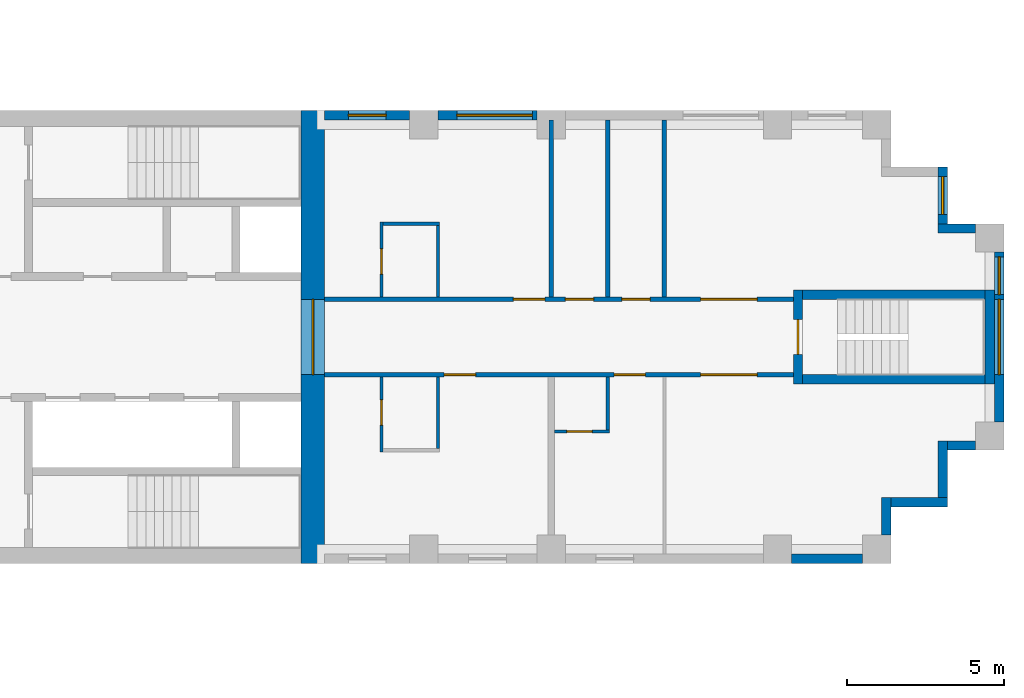
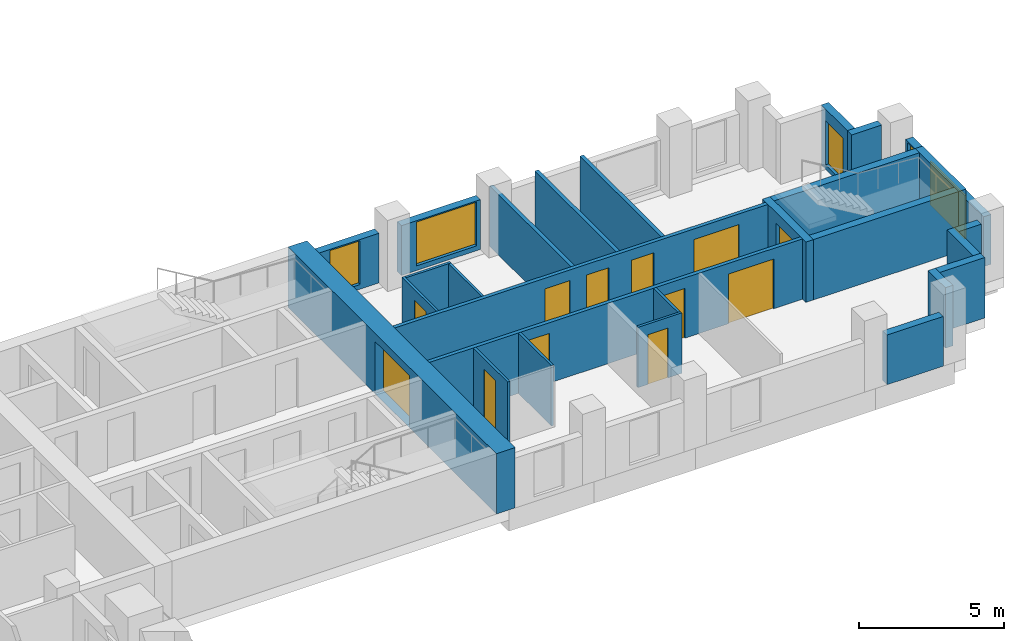
# One storey, part 10 of 15: 27 walls, 12 doors, 5 windows, 17 openings.
"""IFC4 building model written with IfcOpenShell, lengths in metres."""

from ifc_helpers import new_model, si_unit, direction, frame, frame_2d, origin, place, context, subcontext, project, spatial, rectangle, extrude, material, layer, layer_set, type_object, element, fill, save


model = new_model("IFC4")

# Units and contexts
model_context = context("Model", 3, precision=1e-05, world=origin(), true_north=direction((0.0, 1.0)))
body_context = subcontext(model_context, "Body", "Model", "MODEL_VIEW")
ifc_project = project(units=[si_unit("LENGTHUNIT", "METRE"), si_unit("AREAUNIT", "SQUARE_METRE"), si_unit("VOLUMEUNIT", "CUBIC_METRE"), si_unit("PLANEANGLEUNIT", "RADIAN"), si_unit("MASSUNIT", "GRAM", prefix="KILO")], contexts=[model_context])

# Site, building, storey
site_placement = place(None, origin())
site = spatial("IfcSite", under=ifc_project, at=site_placement, CompositionType="ELEMENT")
building_placement = place(site_placement, origin())
building = spatial("IfcBuilding", under=site, at=building_placement, Name="Fustian Cross Tower", CompositionType="ELEMENT")
storey_placement = place(building_placement, frame((0.0, 0.0, 59.699951171875)))
storey = spatial("IfcBuildingStorey", under=building, at=storey_placement, Name="L18", CompositionType="ELEMENT", Elevation=59.699951171875)

# Wall, openings, doors
ifc_material_1 = material(Name="Plasterboard on steel stud", Category="steel")
ifc_layer_1 = layer(ifc_material_1, 0.14990234375)
ifc_layer_set_1 = layer_set([ifc_layer_1], Name="Plasterboard on steel stud")
wall_type_1 = type_object("IfcWallType", Name="COMPARTMENT WALL 150 EI 60", PredefinedType="PARTITIONING", material=ifc_layer_set_1)
wall_1_placement = place(storey_placement, frame((21.60009765625, -1.199951171875, 0.0), z_axis=(0.0, 0.0, 1.0), x_axis=(1.0, 0.0, 0.0)))
wall_1 = element("IfcWall", 1, at=wall_1_placement, inside=storey, type_object=wall_type_1, Name="Partition 88", PredefinedType="PARTITIONING", context=body_context, shape_type="SweptSolid", body=[
    extrude(rectangle(XDim=14.89990234375, YDim=0.14990234375, at=frame_2d((7.449951171875, 0.0))), origin(), (0.0, 0.0, 1.0), 2.550048828125),
])
opening_1_placement = place(wall_1_placement, frame((3.800048828125, 0.0, 0.0)))
opening_1 = element("IfcOpeningElement", 2, at=opening_1_placement, cuts=wall_1, Name="Opening D09018", PredefinedType="OPENING", context=body_context, shape_type="SweptSolid", body=[
    extrude(rectangle(XDim=1.0, YDim=2.10009765625, at=frame_2d((0.5, 1.050048828125))), frame((0.0, 0.0849609375, 0.0), z_axis=(0.0, -1.0, 0.0), x_axis=(1.0, 0.0, 0.0)), (0.0, 0.0, 1.0), 0.169921875),
])
opening_2_placement = place(wall_1_placement, frame((9.199951171875, 0.0, 0.0)))
opening_2 = element("IfcOpeningElement", 3, at=opening_2_placement, cuts=wall_1, Name="Opening D09020", PredefinedType="OPENING", context=body_context, shape_type="SweptSolid", body=[
    extrude(rectangle(XDim=1.0, YDim=2.10009765625, at=frame_2d((0.5, 1.050048828125))), frame((0.0, 0.0849609375, 0.0), z_axis=(0.0, -1.0, 0.0), x_axis=(1.0, 0.0, 0.0)), (0.0, 0.0, 1.0), 0.169921875),
])
opening_3_placement = place(wall_1_placement, frame((11.949951171875, 0.0, 0.0)))
opening_3 = element("IfcOpeningElement", 4, at=opening_3_placement, cuts=wall_1, Name="Opening D09021", PredefinedType="OPENING", context=body_context, shape_type="SweptSolid", body=[
    extrude(rectangle(XDim=1.800048828125, YDim=2.10009765625, at=frame_2d((0.89990234375, 1.050048828125))), frame((0.0, 0.0849609375, 0.0), z_axis=(0.0, -1.0, 0.0), x_axis=(1.0, 0.0, 0.0)), (0.0, 0.0, 1.0), 0.169921875),
])
ifc_material_2 = material(Name="Timber fire door set", Category="wood")
door_type_1 = type_object("IfcDoorType", Name="FIRE DOUBLE DOOR 1800 FD30S", OperationType="DOUBLE_DOOR_DOUBLE_SWING", PredefinedType="DOOR", material=ifc_material_2)
door_1_placement = place(opening_3_placement, origin())
door_1 = element("IfcDoor", 5, at=door_1_placement, inside=storey, type_object=door_type_1, Name="Door D09021", OperationType="DOUBLE_DOOR_DOUBLE_SWING", OverallHeight=2.10009765625, OverallWidth=1.800048828125, PredefinedType="DOOR", context=body_context, shape_type="SweptSolid", body=[
    extrude(rectangle(XDim=1.800048828125, YDim=2.10009765625, at=frame_2d((0.89990234375, 1.050048828125))), frame((0.0, 0.02490234375, 0.0), z_axis=(0.0, -1.0, 0.0), x_axis=(1.0, 0.0, 0.0)), (0.0, 0.0, 1.0), 0.050048828125),
])
fill(opening_3, door_1)
ifc_material_3 = material(Name="Timber fire door set", Category="wood")
door_type_2 = type_object("IfcDoorType", Name="FIRE SWING DOOR 1000 FD30S", OperationType="SINGLE_SWING_LEFT", PredefinedType="DOOR", material=ifc_material_3)
door_2_placement = place(opening_1_placement, frame((1.0, 0.0, 0.0), z_axis=(0.0, 0.0, 1.0), x_axis=(-1.0, 0.0, 0.0)))
door_2 = element("IfcDoor", 6, at=door_2_placement, inside=storey, type_object=door_type_2, Name="Door D09018", OperationType="SINGLE_SWING_RIGHT", OverallHeight=2.10009765625, OverallWidth=1.0, PredefinedType="DOOR", context=body_context, shape_type="SweptSolid", body=[
    extrude(rectangle(XDim=1.0, YDim=2.10009765625, at=frame_2d((0.5, 1.050048828125))), frame((0.0, 0.02490234375, 0.0), z_axis=(0.0, -1.0, 0.0), x_axis=(1.0, 0.0, 0.0)), (0.0, 0.0, 1.0), 0.050048828125),
])
fill(opening_1, door_2)
door_3_placement = place(opening_2_placement, frame((1.0, 0.0, 0.0), z_axis=(0.0, 0.0, 1.0), x_axis=(-1.0, 0.0, 0.0)))
door_3 = element("IfcDoor", 7, at=door_3_placement, inside=storey, type_object=door_type_2, Name="Door D09020", OperationType="SINGLE_SWING_RIGHT", OverallHeight=2.10009765625, OverallWidth=1.0, PredefinedType="DOOR", context=body_context, shape_type="SweptSolid", body=[
    extrude(rectangle(XDim=1.0, YDim=2.10009765625, at=frame_2d((0.5, 1.050048828125))), frame((0.0, 0.02490234375, 0.0), z_axis=(0.0, -1.0, 0.0), x_axis=(1.0, 0.0, 0.0)), (0.0, 0.0, 1.0), 0.050048828125),
])
fill(opening_2, door_3)

wall_2_placement = place(storey_placement, frame((21.60009765625, 1.199951171875, 0.0), z_axis=(0.0, 0.0, 1.0), x_axis=(1.0, 0.0, 0.0)))
wall_2 = element("IfcWall", 8, at=wall_2_placement, inside=storey, type_object=wall_type_1, Name="Partition 89", PredefinedType="PARTITIONING", context=body_context, shape_type="SweptSolid", body=[
    extrude(rectangle(XDim=14.89990234375, YDim=0.14990234375, at=frame_2d((7.449951171875, 0.0))), origin(), (0.0, 0.0, 1.0), 2.550048828125),
])
opening_4_placement = place(wall_2_placement, frame((6.0, 0.0, 0.0)))
opening_4 = element("IfcOpeningElement", 9, at=opening_4_placement, cuts=wall_2, Name="Opening D09013", PredefinedType="OPENING", context=body_context, shape_type="SweptSolid", body=[
    extrude(rectangle(XDim=1.0, YDim=2.10009765625, at=frame_2d((0.5, 1.050048828125))), frame((0.0, 0.0849609375, 0.0), z_axis=(0.0, -1.0, 0.0), x_axis=(1.0, 0.0, 0.0)), (0.0, 0.0, 1.0), 0.169921875),
])
opening_5_placement = place(wall_2_placement, frame((7.64990234375, 0.0, 0.0)))
opening_5 = element("IfcOpeningElement", 10, at=opening_5_placement, cuts=wall_2, Name="Opening D09014", PredefinedType="OPENING", context=body_context, shape_type="SweptSolid", body=[
    extrude(rectangle(XDim=0.89990234375, YDim=2.10009765625, at=frame_2d((0.449951171875, 1.050048828125))), frame((0.0, 0.0849609375, 0.0), z_axis=(0.0, -1.0, 0.0), x_axis=(1.0, 0.0, 0.0)), (0.0, 0.0, 1.0), 0.169921875),
])
opening_6_placement = place(wall_2_placement, frame((9.449951171875, 0.0, 0.0)))
opening_6 = element("IfcOpeningElement", 11, at=opening_6_placement, cuts=wall_2, Name="Opening D09015", PredefinedType="OPENING", context=body_context, shape_type="SweptSolid", body=[
    extrude(rectangle(XDim=0.89990234375, YDim=2.10009765625, at=frame_2d((0.449951171875, 1.050048828125))), frame((0.0, 0.0849609375, 0.0), z_axis=(0.0, -1.0, 0.0), x_axis=(1.0, 0.0, 0.0)), (0.0, 0.0, 1.0), 0.169921875),
])
opening_7_placement = place(wall_2_placement, frame((11.949951171875, 0.0, 0.0)))
opening_7 = element("IfcOpeningElement", 12, at=opening_7_placement, cuts=wall_2, Name="Opening D09016", PredefinedType="OPENING", context=body_context, shape_type="SweptSolid", body=[
    extrude(rectangle(XDim=1.800048828125, YDim=2.10009765625, at=frame_2d((0.89990234375, 1.050048828125))), frame((0.0, 0.0849609375, 0.0), z_axis=(0.0, -1.0, 0.0), x_axis=(1.0, 0.0, 0.0)), (0.0, 0.0, 1.0), 0.169921875),
])
door_4_placement = place(opening_7_placement, frame((1.800048828125, 0.0, 0.0), z_axis=(0.0, 0.0, 1.0), x_axis=(-1.0, 0.0, 0.0)))
door_4 = element("IfcDoor", 13, at=door_4_placement, inside=storey, type_object=door_type_1, Name="Door D09016", OperationType="DOUBLE_DOOR_DOUBLE_SWING", OverallHeight=2.10009765625, OverallWidth=1.800048828125, PredefinedType="DOOR", context=body_context, shape_type="SweptSolid", body=[
    extrude(rectangle(XDim=1.800048828125, YDim=2.10009765625, at=frame_2d((0.89990234375, 1.050048828125))), frame((0.0, 0.02490234375, 0.0), z_axis=(0.0, -1.0, 0.0), x_axis=(1.0, 0.0, 0.0)), (0.0, 0.0, 1.0), 0.050048828125),
])
fill(opening_7, door_4)
door_5_placement = place(opening_4_placement, origin())
door_5 = element("IfcDoor", 14, at=door_5_placement, inside=storey, type_object=door_type_2, Name="Door D09013", OperationType="SINGLE_SWING_RIGHT", OverallHeight=2.10009765625, OverallWidth=1.0, PredefinedType="DOOR", context=body_context, shape_type="SweptSolid", body=[
    extrude(rectangle(XDim=1.0, YDim=2.10009765625, at=frame_2d((0.5, 1.050048828125))), frame((0.0, 0.02490234375, 0.0), z_axis=(0.0, -1.0, 0.0), x_axis=(1.0, 0.0, 0.0)), (0.0, 0.0, 1.0), 0.050048828125),
])
fill(opening_4, door_5)
ifc_material_4 = material(Name="Timber fire door set", Category="wood")
door_type_3 = type_object("IfcDoorType", Name="FIRE SWING DOOR 900 FD30S", OperationType="SINGLE_SWING_LEFT", PredefinedType="DOOR", material=ifc_material_4)
door_6_placement = place(opening_5_placement, origin())
door_6 = element("IfcDoor", 15, at=door_6_placement, inside=storey, type_object=door_type_3, Name="Door D09014", OperationType="SINGLE_SWING_RIGHT", OverallHeight=2.10009765625, OverallWidth=0.89990234375, PredefinedType="DOOR", context=body_context, shape_type="SweptSolid", body=[
    extrude(rectangle(XDim=0.89990234375, YDim=2.10009765625, at=frame_2d((0.449951171875, 1.050048828125))), frame((0.0, 0.02490234375, 0.0), z_axis=(0.0, -1.0, 0.0), x_axis=(1.0, 0.0, 0.0)), (0.0, 0.0, 1.0), 0.050048828125),
])
fill(opening_5, door_6)
door_7_placement = place(opening_6_placement, frame((0.89990234375, 0.0, 0.0), z_axis=(0.0, 0.0, 1.0), x_axis=(-1.0, 0.0, 0.0)))
door_7 = element("IfcDoor", 16, at=door_7_placement, inside=storey, type_object=door_type_3, Name="Door D09015", OperationType="SINGLE_SWING_LEFT", OverallHeight=2.10009765625, OverallWidth=0.89990234375, PredefinedType="DOOR", context=body_context, shape_type="SweptSolid", body=[
    extrude(rectangle(XDim=0.89990234375, YDim=2.10009765625, at=frame_2d((0.449951171875, 1.050048828125))), frame((0.0, 0.02490234375, 0.0), z_axis=(0.0, -1.0, 0.0), x_axis=(1.0, 0.0, 0.0)), (0.0, 0.0, 1.0), 0.050048828125),
])
fill(opening_6, door_7)

# Walls
for number, where, z_axis, x_axis, name in (
    (17, (28.800048828125, 1.27490234375, 0.0), (0.0, 0.0, 1.0), (0.0, 1.0, 0.0), "Partition 98"),
    (18, (30.60009765625, 1.27490234375, 0.0), (0.0, 0.0, 1.0), (0.0, 1.0, 0.0), "Partition 100"),
    (19, (32.39990234375, 1.27490234375, 0.0), (0.0, 0.0, 1.0), (0.0, 1.0, 0.0), "Partition 102"),
):
    element("IfcWall", number, at=place(storey_placement, frame(where, z_axis=z_axis, x_axis=x_axis)), inside=storey, type_object=wall_type_1, Name=name, PredefinedType="PARTITIONING", context=body_context, shape_type="SweptSolid", body=[
        extrude(rectangle(XDim=5.625, YDim=0.14990234375, at=frame_2d((2.8125, 0.0))), origin(), (0.0, 0.0, 1.0), 2.550048828125),
    ])

# Wall, opening, door
ifc_material_5 = material(Name="Concrete C80/95", Category="concrete")
ifc_layer_2 = layer(ifc_material_5, 0.75)
ifc_layer_set_2 = layer_set([ifc_layer_2], Name="Concrete C80/95")
wall_type_2 = type_object("IfcWallType", Name="CORE END WALL 750 C80/95", PredefinedType="SHEAR", material=ifc_layer_set_2)
wall_3_placement = place(storey_placement, frame((21.22509765625, -7.199951171875, 0.0), z_axis=(0.0, 0.0, 1.0), x_axis=(0.0, 1.0, 0.0)))
wall_3 = element("IfcWall", 20, at=wall_3_placement, inside=storey, type_object=wall_type_2, Name="Core end wall", PredefinedType="SHEAR", context=body_context, shape_type="SweptSolid", body=[
    extrude(rectangle(XDim=14.39990234375, YDim=0.75, at=frame_2d((7.199951171875, 0.0))), origin(), (0.0, 0.0, 1.0), 2.550048828125),
])
opening_8_placement = place(wall_3_placement, frame((6.0, 0.0, 0.0)))
opening_8 = element("IfcOpeningElement", 21, at=opening_8_placement, cuts=wall_3, Name="Opening CD-07-13", PredefinedType="OPENING", context=body_context, shape_type="SweptSolid", body=[
    extrude(rectangle(XDim=2.39990234375, YDim=2.199951171875, at=frame_2d((1.199951171875, 1.10009765625))), frame((0.0, 0.385009765625, 0.0), z_axis=(0.0, -1.0, 0.0), x_axis=(1.0, 0.0, 0.0)), (0.0, 0.0, 1.0), 0.77001953125),
])
ifc_material_6 = material(Name="Steel", Category="steel")
door_type_4 = type_object("IfcDoorType", Name="FIRE DOOR FD30S DOUBLE 2400X2200", OperationType="DOUBLE_DOOR_DOUBLE_SWING", PredefinedType="DOOR", material=ifc_material_6)
door_8_placement = place(opening_8_placement, origin())
door_8 = element("IfcDoor", 22, at=door_8_placement, inside=storey, type_object=door_type_4, Name="Core door CD-07-13", OperationType="DOUBLE_DOOR_DOUBLE_SWING", OverallHeight=2.199951171875, OverallWidth=2.39990234375, PredefinedType="DOOR", context=body_context, shape_type="SweptSolid", body=[
    extrude(rectangle(XDim=2.39990234375, YDim=2.199951171875, at=frame_2d((1.199951171875, 1.10009765625))), frame((0.0, 0.02490234375, 0.0), z_axis=(0.0, -1.0, 0.0), x_axis=(1.0, 0.0, 0.0)), (0.0, 0.0, 1.0), 0.050048828125),
])
fill(opening_8, door_8)

ifc_material_7 = material(Name="Plasterboard on steel stud", Category="steel")
ifc_layer_3 = layer(ifc_material_7, 0.10009765625)
ifc_layer_set_3 = layer_set([ifc_layer_3], Name="Plasterboard on steel stud")
wall_type_3 = type_object("IfcWallType", Name="PARTITION 100 STUD", PredefinedType="PARTITIONING", material=ifc_layer_set_3)
wall_4_placement = place(storey_placement, frame((23.39990234375, -3.64990234375, 0.0), z_axis=(0.0, 0.0, 1.0), x_axis=(0.0, 1.0, 0.0)))
wall_4 = element("IfcWall", 23, at=wall_4_placement, inside=storey, type_object=wall_type_3, Name="Partition 90", PredefinedType="PARTITIONING", context=body_context, shape_type="SweptSolid", body=[
    extrude(rectangle(XDim=2.375, YDim=0.10009765625, at=frame_2d((1.1875, 0.0))), origin(), (0.0, 0.0, 1.0), 2.550048828125),
])
opening_9_placement = place(wall_4_placement, frame((0.85009765625, 0.0, 0.0)))
opening_9 = element("IfcOpeningElement", 24, at=opening_9_placement, cuts=wall_4, Name="Opening D09017", PredefinedType="OPENING", context=body_context, shape_type="SweptSolid", body=[
    extrude(rectangle(XDim=0.800048828125, YDim=2.10009765625, at=frame_2d((0.39990234375, 1.050048828125))), frame((0.0, 0.06005859375, 0.0), z_axis=(0.0, -1.0, 0.0), x_axis=(1.0, 0.0, 0.0)), (0.0, 0.0, 1.0), 0.1201171875),
])
ifc_material_8 = material(Name="Painted timber", Category="wood")
door_type_5 = type_object("IfcDoorType", Name="SWING DOOR 800", OperationType="SINGLE_SWING_LEFT", PredefinedType="DOOR", material=ifc_material_8)
door_9_placement = place(opening_9_placement, frame((0.800048828125, 0.0, 0.0), z_axis=(0.0, 0.0, 1.0), x_axis=(-1.0, 0.0, 0.0)))
door_9 = element("IfcDoor", 25, at=door_9_placement, inside=storey, type_object=door_type_5, Name="Door D09017", OperationType="SINGLE_SWING_RIGHT", OverallHeight=2.10009765625, OverallWidth=0.800048828125, PredefinedType="DOOR", context=body_context, shape_type="SweptSolid", body=[
    extrude(rectangle(XDim=0.800048828125, YDim=2.10009765625, at=frame_2d((0.39990234375, 1.050048828125))), frame((0.0, 0.02490234375, 0.0), z_axis=(0.0, -1.0, 0.0), x_axis=(1.0, 0.0, 0.0)), (0.0, 0.0, 1.0), 0.050048828125),
])
fill(opening_9, door_9)

wall_5_placement = place(storey_placement, frame((23.39990234375, 1.27490234375, 0.0), z_axis=(0.0, 0.0, 1.0), x_axis=(0.0, 1.0, 0.0)))
wall_5 = element("IfcWall", 26, at=wall_5_placement, inside=storey, type_object=wall_type_3, Name="Partition 92", PredefinedType="PARTITIONING", context=body_context, shape_type="SweptSolid", body=[
    extrude(rectangle(XDim=2.375, YDim=0.10009765625, at=frame_2d((1.1875, 0.0))), origin(), (0.0, 0.0, 1.0), 2.550048828125),
])
opening_10_placement = place(wall_5_placement, frame((0.72509765625, 0.0, 0.0)))
opening_10 = element("IfcOpeningElement", 27, at=opening_10_placement, cuts=wall_5, Name="Opening D09012", PredefinedType="OPENING", context=body_context, shape_type="SweptSolid", body=[
    extrude(rectangle(XDim=0.800048828125, YDim=2.10009765625, at=frame_2d((0.39990234375, 1.050048828125))), frame((0.0, 0.06005859375, 0.0), z_axis=(0.0, -1.0, 0.0), x_axis=(1.0, 0.0, 0.0)), (0.0, 0.0, 1.0), 0.1201171875),
])
door_10_placement = place(opening_10_placement, frame((0.800048828125, 0.0, 0.0), z_axis=(0.0, 0.0, 1.0), x_axis=(-1.0, 0.0, 0.0)))
door_10 = element("IfcDoor", 28, at=door_10_placement, inside=storey, type_object=door_type_5, Name="Door D09012", OperationType="SINGLE_SWING_RIGHT", OverallHeight=2.10009765625, OverallWidth=0.800048828125, PredefinedType="DOOR", context=body_context, shape_type="SweptSolid", body=[
    extrude(rectangle(XDim=0.800048828125, YDim=2.10009765625, at=frame_2d((0.39990234375, 1.050048828125))), frame((0.0, 0.02490234375, 0.0), z_axis=(0.0, -1.0, 0.0), x_axis=(1.0, 0.0, 0.0)), (0.0, 0.0, 1.0), 0.050048828125),
])
fill(opening_10, door_10)

# Walls
wall_6_placement = place(storey_placement, frame((23.449951171875, 3.60009765625, 0.0), z_axis=(0.0, 0.0, 1.0), x_axis=(1.0, 0.0, 0.0)))
element("IfcWall", 29, at=wall_6_placement, inside=storey, type_object=wall_type_3, Name="Partition 93", PredefinedType="PARTITIONING", context=body_context, shape_type="SweptSolid", body=[
    extrude(rectangle(XDim=1.800048828125, YDim=0.10009765625, at=frame_2d((0.89990234375, 0.0))), origin(), (0.0, 0.0, 1.0), 2.550048828125),
])
for number, where, z_axis, x_axis, name in (
    (30, (25.199951171875, -3.550048828125, 0.0), (0.0, 0.0, 1.0), (0.0, 1.0, 0.0), "Partition 94"),
    (31, (25.199951171875, 1.27490234375, 0.0), (0.0, 0.0, 1.0), (0.0, 1.0, 0.0), "Partition 95"),
):
    element("IfcWall", number, at=place(storey_placement, frame(where, z_axis=z_axis, x_axis=x_axis)), inside=storey, type_object=wall_type_3, Name=name, PredefinedType="PARTITIONING", context=body_context, shape_type="SweptSolid", body=[
        extrude(rectangle(XDim=2.275146484375, YDim=0.10009765625, at=frame_2d((1.1376953125, 0.0))), origin(), (0.0, 0.0, 1.0), 2.550048828125),
    ])

# Wall, opening, door
wall_7_placement = place(storey_placement, frame((28.89990234375, -3.0, 0.0), z_axis=(0.0, 0.0, 1.0), x_axis=(1.0, 0.0, 0.0)))
wall_7 = element("IfcWall", 32, at=wall_7_placement, inside=storey, type_object=wall_type_3, Name="Partition 97", PredefinedType="PARTITIONING", context=body_context, shape_type="SweptSolid", body=[
    extrude(rectangle(XDim=1.75, YDim=0.10009765625, at=frame_2d((0.875, 0.0))), origin(), (0.0, 0.0, 1.0), 2.550048828125),
])
opening_11_placement = place(wall_7_placement, frame((0.39990234375, 0.0, 0.0)))
opening_11 = element("IfcOpeningElement", 33, at=opening_11_placement, cuts=wall_7, Name="Opening D09019", PredefinedType="OPENING", context=body_context, shape_type="SweptSolid", body=[
    extrude(rectangle(XDim=0.800048828125, YDim=2.10009765625, at=frame_2d((0.39990234375, 1.050048828125))), frame((0.0, 0.06005859375, 0.0), z_axis=(0.0, -1.0, 0.0), x_axis=(1.0, 0.0, 0.0)), (0.0, 0.0, 1.0), 0.1201171875),
])
door_11_placement = place(opening_11_placement, origin())
door_11 = element("IfcDoor", 34, at=door_11_placement, inside=storey, type_object=door_type_5, Name="Door D09019", OperationType="SINGLE_SWING_RIGHT", OverallHeight=2.10009765625, OverallWidth=0.800048828125, PredefinedType="DOOR", context=body_context, shape_type="SweptSolid", body=[
    extrude(rectangle(XDim=0.800048828125, YDim=2.10009765625, at=frame_2d((0.39990234375, 1.050048828125))), frame((0.0, 0.02490234375, 0.0), z_axis=(0.0, -1.0, 0.0), x_axis=(1.0, 0.0, 0.0)), (0.0, 0.0, 1.0), 0.050048828125),
])
fill(opening_11, door_11)

# Wall
wall_8_placement = place(storey_placement, frame((30.60009765625, -2.949951171875, 0.0), z_axis=(0.0, 0.0, 1.0), x_axis=(0.0, 1.0, 0.0)))
element("IfcWall", 35, at=wall_8_placement, inside=storey, type_object=wall_type_3, Name="Partition 99", PredefinedType="PARTITIONING", context=body_context, shape_type="SweptSolid", body=[
    extrude(rectangle(XDim=1.675048828125, YDim=0.10009765625, at=frame_2d((0.83740234375, 0.0))), origin(), (0.0, 0.0, 1.0), 2.550048828125),
])

# Wall, opening, door
ifc_material_9 = material(Name="Concrete C50/60", Category="concrete")
ifc_layer_4 = layer(ifc_material_9, 0.300048828125)
ifc_layer_set_4 = layer_set([ifc_layer_4], Name="Concrete C50/60")
wall_type_4 = type_object("IfcWallType", Name="STAIR ENCLOSURE WALL 300 C50/60", PredefinedType="SHEAR", material=ifc_layer_set_4)
wall_9_placement = place(storey_placement, frame((36.64990234375, -1.5, 0.0), z_axis=(0.0, 0.0, 1.0), x_axis=(0.0, 1.0, 0.0)))
wall_9 = element("IfcWall", 36, at=wall_9_placement, inside=storey, type_object=wall_type_4, Name="Stair enclosure wall", PredefinedType="SHEAR", context=body_context, shape_type="SweptSolid", body=[
    extrude(rectangle(XDim=3.0, YDim=0.300048828125, at=frame_2d((1.5, 0.0))), origin(), (0.0, 0.0, 1.0), 2.550048828125),
])
opening_12_placement = place(wall_9_placement, frame((0.949951171875, 0.0, 0.0)))
opening_12 = element("IfcOpeningElement", 37, at=opening_12_placement, cuts=wall_9, Name="Opening CD-07-33", PredefinedType="OPENING", context=body_context, shape_type="SweptSolid", body=[
    extrude(rectangle(XDim=1.10009765625, YDim=2.10009765625, at=frame_2d((0.550048828125, 1.050048828125))), frame((0.0, 0.159912109375, 0.0), z_axis=(0.0, -1.0, 0.0), x_axis=(1.0, 0.0, 0.0)), (0.0, 0.0, 1.0), 0.320068359375),
])
ifc_material_10 = material(Name="Steel", Category="steel")
door_type_6 = type_object("IfcDoorType", Name="FIRE DOOR FD60S 1100X2100", OperationType="SINGLE_SWING_LEFT", PredefinedType="DOOR", material=ifc_material_10)
door_12_placement = place(opening_12_placement, frame((1.10009765625, 0.0, 0.0), z_axis=(0.0, 0.0, 1.0), x_axis=(-1.0, 0.0, 0.0)))
door_12 = element("IfcDoor", 38, at=door_12_placement, inside=storey, type_object=door_type_6, Name="Core door CD-07-33", OperationType="SINGLE_SWING_RIGHT", OverallHeight=2.10009765625, OverallWidth=1.10009765625, PredefinedType="DOOR", context=body_context, shape_type="SweptSolid", body=[
    extrude(rectangle(XDim=1.10009765625, YDim=2.10009765625, at=frame_2d((0.550048828125, 1.050048828125))), frame((0.0, 0.02490234375, 0.0), z_axis=(0.0, -1.0, 0.0), x_axis=(1.0, 0.0, 0.0)), (0.0, 0.0, 1.0), 0.050048828125),
])
fill(opening_12, door_12)

# Walls
wall_10_placement = place(storey_placement, frame((42.75, -1.5, 0.0), z_axis=(0.0, 0.0, 1.0), x_axis=(0.0, 1.0, 0.0)))
element("IfcWall", 39, at=wall_10_placement, inside=storey, type_object=wall_type_4, Name="Stair enclosure wall", PredefinedType="SHEAR", context=body_context, shape_type="SweptSolid", body=[
    extrude(rectangle(XDim=3.0, YDim=0.300048828125, at=frame_2d((1.5, 0.0))), origin(), (0.0, 0.0, 1.0), 2.550048828125),
])
for number, where, z_axis, x_axis, name in (
    (40, (36.800048828125, -1.35009765625, 0.0), (0.0, 0.0, 1.0), (1.0, 0.0, 0.0), "Stair enclosure wall"),
    (41, (36.800048828125, 1.35009765625, 0.0), (0.0, 0.0, 1.0), (1.0, 0.0, 0.0), "Stair enclosure wall"),
):
    element("IfcWall", number, at=place(storey_placement, frame(where, z_axis=z_axis, x_axis=x_axis)), inside=storey, type_object=wall_type_4, Name=name, PredefinedType="SHEAR", context=body_context, shape_type="SweptSolid", body=[
        extrude(rectangle(XDim=5.800048828125, YDim=0.300048828125, at=frame_2d((2.89990234375, 0.0))), origin(), (0.0, 0.0, 1.0), 2.550048828125),
    ])
ifc_material_11 = material(Name="Dark aluminium cladding on insulated backing wall", Category="aluminium")
ifc_layer_5 = layer(ifc_material_11, 0.300048828125)
ifc_layer_set_5 = layer_set([ifc_layer_5], Name="Dark aluminium cladding on insulated backing wall")
wall_type_5 = type_object("IfcWallType", Name="XW1 EXTERNAL WALL 300", PredefinedType="SOLIDWALL", material=ifc_layer_set_5)
wall_11_placement = place(storey_placement, frame((36.449951171875, -7.050048828125, 0.0), z_axis=(0.0, 0.0, 1.0), x_axis=(1.0, 0.0, 0.0)))
element("IfcWall", 42, at=wall_11_placement, inside=storey, type_object=wall_type_5, Name="External wall", PredefinedType="SOLIDWALL", context=body_context, shape_type="SweptSolid", body=[
    extrude(rectangle(XDim=2.25, YDim=0.300048828125, at=frame_2d((1.125, 0.0))), origin(), (0.0, 0.0, 1.0), 2.10009765625),
])
wall_12_placement = place(storey_placement, frame((39.449951171875, -6.300048828125, 0.0), z_axis=(0.0, 0.0, 1.0), x_axis=(0.0, 1.0, 0.0)))
element("IfcWall", 43, at=wall_12_placement, inside=storey, type_object=wall_type_5, Name="External wall", PredefinedType="SOLIDWALL", context=body_context, shape_type="SweptSolid", body=[
    extrude(rectangle(XDim=1.199951171875, YDim=0.300048828125, at=frame_2d((0.60009765625, 0.0))), origin(), (0.0, 0.0, 1.0), 2.550048828125),
])
wall_13_placement = place(storey_placement, frame((39.60009765625, -5.25, 0.0), z_axis=(0.0, 0.0, 1.0), x_axis=(1.0, 0.0, 0.0)))
element("IfcWall", 44, at=wall_13_placement, inside=storey, type_object=wall_type_5, Name="External wall", PredefinedType="SOLIDWALL", context=body_context, shape_type="SweptSolid", body=[
    extrude(rectangle(XDim=1.7998046875, YDim=0.300048828125, at=frame_2d((0.89990234375, 0.0))), origin(), (0.0, 0.0, 1.0), 2.550048828125),
])
wall_14_placement = place(storey_placement, frame((41.25, -5.10009765625, 0.0), z_axis=(0.0, 0.0, 1.0), x_axis=(0.0, 1.0, 0.0)))
element("IfcWall", 45, at=wall_14_placement, inside=storey, type_object=wall_type_5, Name="External wall", PredefinedType="SOLIDWALL", context=body_context, shape_type="SweptSolid", body=[
    extrude(rectangle(XDim=1.800048828125, YDim=0.300048828125, at=frame_2d((0.89990234375, 0.0))), origin(), (0.0, 0.0, 1.0), 2.550048828125),
])
wall_15_placement = place(storey_placement, frame((41.39990234375, -3.449951171875, 0.0), z_axis=(0.0, 0.0, 1.0), x_axis=(1.0, 0.0, 0.0)))
element("IfcWall", 46, at=wall_15_placement, inside=storey, type_object=wall_type_5, Name="External wall", PredefinedType="SOLIDWALL", context=body_context, shape_type="SweptSolid", body=[
    extrude(rectangle(XDim=0.900146484375, YDim=0.300048828125, at=frame_2d((0.4501953125, 0.0))), origin(), (0.0, 0.0, 1.0), 2.550048828125),
])

# Wall, openings, windows
wall_16_placement = place(storey_placement, frame((43.050048828125, -2.699951171875, 0.0), z_axis=(0.0, 0.0, 1.0), x_axis=(0.0, 1.0, 0.0)))
wall_16 = element("IfcWall", 47, at=wall_16_placement, inside=storey, type_object=wall_type_5, Name="External wall", PredefinedType="SOLIDWALL", context=body_context, shape_type="SweptSolid", body=[
    extrude(rectangle(XDim=5.39990234375, YDim=0.300048828125, at=frame_2d((2.699951171875, 0.0))), origin(), (0.0, 0.0, 1.0), 2.10009765625),
])
opening_13_placement = place(wall_16_placement, frame((1.5, 0.0, 0.199951171875)))
opening_13 = element("IfcOpeningElement", 48, at=opening_13_placement, cuts=wall_16, Name="Opening WN1", PredefinedType="OPENING", context=body_context, shape_type="SweptSolid", body=[
    extrude(rectangle(XDim=2.39990234375, YDim=1.85009765625, at=frame_2d((1.199951171875, 0.925048828125))), frame((0.0, 0.159912109375, 0.0), z_axis=(0.0, -1.0, 0.0), x_axis=(1.0, 0.0, 0.0)), (0.0, 0.0, 1.0), 0.320068359375),
])
opening_14_placement = place(wall_16_placement, frame((4.050048828125, 0.0, 0.199951171875)))
opening_14 = element("IfcOpeningElement", 49, at=opening_14_placement, cuts=wall_16, Name="Opening WN3", PredefinedType="OPENING", context=body_context, shape_type="SweptSolid", body=[
    extrude(rectangle(XDim=1.199951171875, YDim=1.85009765625, at=frame_2d((0.60009765625, 0.925048828125))), frame((0.0, 0.159912109375, 0.0), z_axis=(0.0, -1.0, 0.0), x_axis=(1.0, 0.0, 0.0)), (0.0, 0.0, 1.0), 0.320068359375),
])
ifc_material_12 = material(Name="Dark anodised aluminium and double glazing", Category="aluminium")
window_type_1 = type_object("IfcWindowType", Name="WN1 WINDOW 2400X1850", PartitioningType="SINGLE_PANEL", PredefinedType="WINDOW", material=ifc_material_12)
window_1_placement = place(opening_13_placement, origin())
window_1 = element("IfcWindow", 50, at=window_1_placement, inside=storey, type_object=window_type_1, Name="Window", OverallHeight=1.85009765625, OverallWidth=2.39990234375, PartitioningType="SINGLE_PANEL", PredefinedType="WINDOW", context=body_context, shape_type="SweptSolid", body=[
    extrude(rectangle(XDim=2.39990234375, YDim=1.85009765625, at=frame_2d((1.199951171875, 0.925048828125))), frame((0.0, 0.030029296875, 0.0), z_axis=(0.0, -1.0, 0.0), x_axis=(1.0, 0.0, 0.0)), (0.0, 0.0, 1.0), 0.06005859375),
])
fill(opening_13, window_1)
ifc_material_13 = material(Name="Dark anodised aluminium and double glazing", Category="aluminium")
window_type_2 = type_object("IfcWindowType", Name="WN3 WINDOW 1200X1850", PartitioningType="SINGLE_PANEL", PredefinedType="WINDOW", material=ifc_material_13)
window_2_placement = place(opening_14_placement, origin())
window_2 = element("IfcWindow", 51, at=window_2_placement, inside=storey, type_object=window_type_2, Name="Window", OverallHeight=1.85009765625, OverallWidth=1.199951171875, PartitioningType="SINGLE_PANEL", PredefinedType="WINDOW", context=body_context, shape_type="SweptSolid", body=[
    extrude(rectangle(XDim=1.199951171875, YDim=1.85009765625, at=frame_2d((0.60009765625, 0.925048828125))), frame((0.0, 0.030029296875, 0.0), z_axis=(0.0, -1.0, 0.0), x_axis=(1.0, 0.0, 0.0)), (0.0, 0.0, 1.0), 0.06005859375),
])
fill(opening_14, window_2)

# Wall
wall_17_placement = place(storey_placement, frame((42.300048828125, 3.449951171875, 0.0), z_axis=(0.0, 0.0, 1.0), x_axis=(-1.0, 0.0, 0.0)))
element("IfcWall", 52, at=wall_17_placement, inside=storey, type_object=wall_type_5, Name="External wall", PredefinedType="SOLIDWALL", context=body_context, shape_type="SweptSolid", body=[
    extrude(rectangle(XDim=1.199951171875, YDim=0.300048828125, at=frame_2d((0.60009765625, 0.0))), origin(), (0.0, 0.0, 1.0), 2.550048828125),
])

# Wall, opening, window
wall_18_placement = place(storey_placement, frame((41.25, 3.60009765625, 0.0), z_axis=(0.0, 0.0, 1.0), x_axis=(0.0, 1.0, 0.0)))
wall_18 = element("IfcWall", 53, at=wall_18_placement, inside=storey, type_object=wall_type_5, Name="External wall", PredefinedType="SOLIDWALL", context=body_context, shape_type="SweptSolid", body=[
    extrude(rectangle(XDim=1.7998046875, YDim=0.300048828125, at=frame_2d((0.89990234375, 0.0))), origin(), (0.0, 0.0, 1.0), 2.550048828125),
])
opening_15_placement = place(wall_18_placement, frame((0.300048828125, 0.0, 0.199951171875)))
opening_15 = element("IfcOpeningElement", 54, at=opening_15_placement, cuts=wall_18, Name="Opening WN3", PredefinedType="OPENING", context=body_context, shape_type="SweptSolid", body=[
    extrude(rectangle(XDim=1.199951171875, YDim=1.85009765625, at=frame_2d((0.60009765625, 0.925048828125))), frame((0.0, 0.159912109375, 0.0), z_axis=(0.0, -1.0, 0.0), x_axis=(1.0, 0.0, 0.0)), (0.0, 0.0, 1.0), 0.320068359375),
])
window_3_placement = place(opening_15_placement, origin())
window_3 = element("IfcWindow", 55, at=window_3_placement, inside=storey, type_object=window_type_2, Name="Window", OverallHeight=1.85009765625, OverallWidth=1.199951171875, PartitioningType="SINGLE_PANEL", PredefinedType="WINDOW", context=body_context, shape_type="SweptSolid", body=[
    extrude(rectangle(XDim=1.199951171875, YDim=1.85009765625, at=frame_2d((0.60009765625, 0.925048828125))), frame((0.0, 0.030029296875, 0.0), z_axis=(0.0, -1.0, 0.0), x_axis=(1.0, 0.0, 0.0)), (0.0, 0.0, 1.0), 0.06005859375),
])
fill(opening_15, window_3)

wall_19_placement = place(storey_placement, frame((28.35009765625, 7.050048828125, 0.0), z_axis=(0.0, 0.0, 1.0), x_axis=(-1.0, 0.0, 0.0)))
wall_19 = element("IfcWall", 56, at=wall_19_placement, inside=storey, type_object=wall_type_5, Name="External wall", PredefinedType="SOLIDWALL", context=body_context, shape_type="SweptSolid", body=[
    extrude(rectangle(XDim=3.150146484375, YDim=0.300048828125, at=frame_2d((1.5751953125, 0.0))), origin(), (0.0, 0.0, 1.0), 2.10009765625),
])
opening_16_placement = place(wall_19_placement, frame((0.14990234375, 0.0, 0.199951171875)))
opening_16 = element("IfcOpeningElement", 57, at=opening_16_placement, cuts=wall_19, Name="Opening WN1", PredefinedType="OPENING", context=body_context, shape_type="SweptSolid", body=[
    extrude(rectangle(XDim=2.39990234375, YDim=1.85009765625, at=frame_2d((1.199951171875, 0.925048828125))), frame((0.0, 0.159912109375, 0.0), z_axis=(0.0, -1.0, 0.0), x_axis=(1.0, 0.0, 0.0)), (0.0, 0.0, 1.0), 0.320068359375),
])
window_4_placement = place(opening_16_placement, origin())
window_4 = element("IfcWindow", 58, at=window_4_placement, inside=storey, type_object=window_type_1, Name="Window", OverallHeight=1.85009765625, OverallWidth=2.39990234375, PartitioningType="SINGLE_PANEL", PredefinedType="WINDOW", context=body_context, shape_type="SweptSolid", body=[
    extrude(rectangle(XDim=2.39990234375, YDim=1.85009765625, at=frame_2d((1.199951171875, 0.925048828125))), frame((0.0, 0.030029296875, 0.0), z_axis=(0.0, -1.0, 0.0), x_axis=(1.0, 0.0, 0.0)), (0.0, 0.0, 1.0), 0.06005859375),
])
fill(opening_16, window_4)

wall_20_placement = place(storey_placement, frame((24.300048828125, 7.050048828125, 0.0), z_axis=(0.0, 0.0, 1.0), x_axis=(-1.0, 0.0, 0.0)))
wall_20 = element("IfcWall", 59, at=wall_20_placement, inside=storey, type_object=wall_type_5, Name="External wall", PredefinedType="SOLIDWALL", context=body_context, shape_type="SweptSolid", body=[
    extrude(rectangle(XDim=2.699951171875, YDim=0.300048828125, at=frame_2d((1.35009765625, 0.0))), origin(), (0.0, 0.0, 1.0), 2.10009765625),
])
opening_17_placement = place(wall_20_placement, frame((0.75, 0.0, 0.199951171875)))
opening_17 = element("IfcOpeningElement", 60, at=opening_17_placement, cuts=wall_20, Name="Opening WN3", PredefinedType="OPENING", context=body_context, shape_type="SweptSolid", body=[
    extrude(rectangle(XDim=1.199951171875, YDim=1.85009765625, at=frame_2d((0.60009765625, 0.925048828125))), frame((0.0, 0.159912109375, 0.0), z_axis=(0.0, -1.0, 0.0), x_axis=(1.0, 0.0, 0.0)), (0.0, 0.0, 1.0), 0.320068359375),
])
window_5_placement = place(opening_17_placement, origin())
window_5 = element("IfcWindow", 61, at=window_5_placement, inside=storey, type_object=window_type_2, Name="Window", OverallHeight=1.85009765625, OverallWidth=1.199951171875, PartitioningType="SINGLE_PANEL", PredefinedType="WINDOW", context=body_context, shape_type="SweptSolid", body=[
    extrude(rectangle(XDim=1.199951171875, YDim=1.85009765625, at=frame_2d((0.60009765625, 0.925048828125))), frame((0.0, 0.030029296875, 0.0), z_axis=(0.0, -1.0, 0.0), x_axis=(1.0, 0.0, 0.0)), (0.0, 0.0, 1.0), 0.06005859375),
])
fill(opening_17, window_5)

save(model, "model.ifc")
